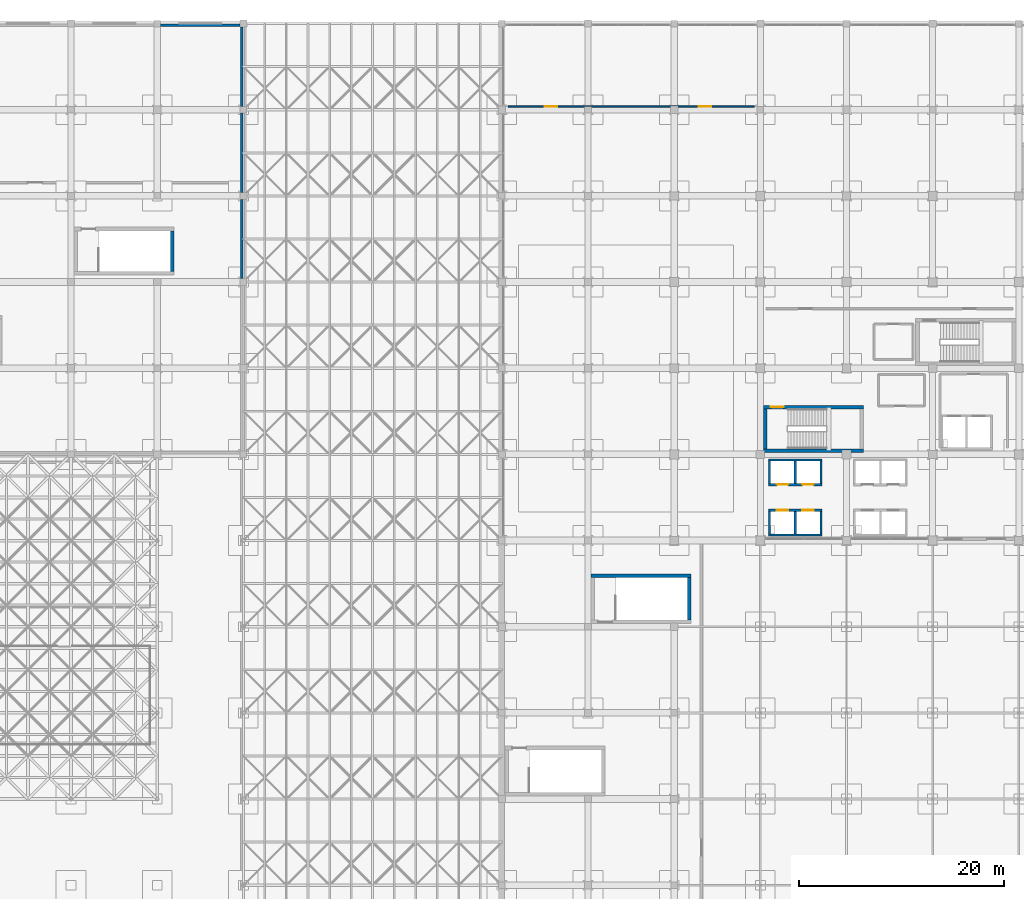
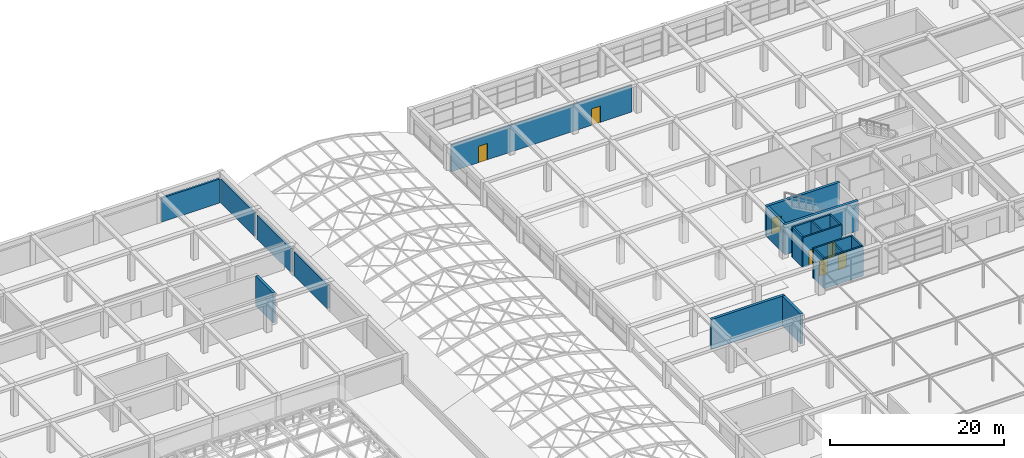
# One storey, part 77 of 85: 21 walls, 7 doors, 7 openings.
"""IFC4 building model written with IfcOpenShell, lengths in metres."""

import ifcopenshell
import ifcopenshell.guid

model = None  # the IFC model being written
_history = None  # IfcOwnerHistory: only IFC2X3 demands one
_inside = {}  # id of a spatial element -> (the spatial element, [elements in it])
_under = {}  # id of a project, library or spatial element -> (it, [spatial elements below it])
_declared = {}  # id of a project -> (the project, [libraries it declares])
_typed = {}  # id of a type object -> (the type object, [elements of that type])
_made_of = {}  # id of a material, layer set ... -> (it, [elements and type objects made of it])


def new_model(schema):
    """Start an empty IFC model of exactly this schema.

    Asked for "IFC4X3", IfcOpenShell would pick the latest addendum, in which some entities
    have other attributes; the version numbers below select the first issue.
    IFC2X3 requires an IfcOwnerHistory on every rooted entity: one is made here for all.
    """
    global model, _history
    if schema == "IFC4X3":
        model = ifcopenshell.file(schema_version=(4, 3, 0, 0))
    else:
        model = ifcopenshell.file(schema=schema)
    _inside.clear()
    _under.clear()
    _declared.clear()
    _typed.clear()
    _made_of.clear()
    _history = None
    if model.schema == "IFC2X3":
        org = make("IfcOrganization", Name="unknown")
        user = make(
            "IfcPersonAndOrganization",
            ThePerson=make("IfcPerson", FamilyName="unknown"),
            TheOrganization=org,
        )
        app = make(
            "IfcApplication",
            ApplicationDeveloper=org,
            Version="unknown",
            ApplicationFullName="unknown",
            ApplicationIdentifier="unknown",
        )
        _history = make(
            "IfcOwnerHistory",
            OwningUser=user,
            OwningApplication=app,
            ChangeAction="ADDED",
            CreationDate=0,
        )
    return model


def make(cls, **values):
    """One entity of the class cls with the attributes given. An attribute that is None is left unset."""
    return model.create_entity(
        cls, **{name: value for name, value in values.items() if value is not None}
    )


def rooted(cls, **values):
    """An entity with a GlobalId (a new one), such as an element, a storey or a relation."""
    return make(cls, GlobalId=ifcopenshell.guid.new(), OwnerHistory=_history, **values)


def si_unit(unit_type, name, prefix=None):
    """IfcSIUnit, for example si_unit("LENGTHUNIT", "METRE", prefix="MILLI")."""
    return make("IfcSIUnit", UnitType=unit_type, Prefix=prefix, Name=name)


def assignment(units):
    """IfcUnitAssignment: the units of a project."""
    return None if units is None else make("IfcUnitAssignment", Units=units)


def point(xyz):
    """IfcCartesianPoint."""
    return None if xyz is None else make("IfcCartesianPoint", Coordinates=xyz)


def direction(xyz):
    """IfcDirection."""
    return None if xyz is None else make("IfcDirection", DirectionRatios=xyz)


def frame(location, z_axis=None, x_axis=None):
    """IfcAxis2Placement3D, a coordinate frame: its origin and axes. An axis left out is left unset."""
    return make(
        "IfcAxis2Placement3D",
        Location=point(location),
        Axis=direction(z_axis),
        RefDirection=direction(x_axis),
    )


def frame_2d(location, x_axis=None):
    """IfcAxis2Placement2D, a coordinate frame in the plane: its origin and x axis."""
    return make(
        "IfcAxis2Placement2D", Location=point(location), RefDirection=direction(x_axis)
    )


def origin():
    """The frame at (0, 0, 0) with its axes left unset."""
    return frame((0.0, 0.0, 0.0))


def place(relative_to, where):
    """IfcLocalPlacement: puts the frame where relative to a parent placement (None: the world)."""
    return make(
        "IfcLocalPlacement", PlacementRelTo=relative_to, RelativePlacement=where
    )


def context(
    kind, dimensions, precision=None, world=None, true_north=None, identifier=None
):
    """IfcGeometricRepresentationContext, for example the 3D "Model" context."""
    return make(
        "IfcGeometricRepresentationContext",
        ContextIdentifier=identifier,
        ContextType=kind,
        CoordinateSpaceDimension=dimensions,
        Precision=precision,
        WorldCoordinateSystem=world,
        TrueNorth=true_north,
    )


def subcontext(parent, identifier, kind, view, scale=None):
    """IfcGeometricRepresentationSubContext, for example "Body" below "Model"."""
    return make(
        "IfcGeometricRepresentationSubContext",
        ContextIdentifier=identifier,
        ContextType=kind,
        ParentContext=parent,
        TargetScale=scale,
        TargetView=view,
    )


def project(units=None, contexts=None):
    """IfcProject with its units and contexts."""
    return rooted(
        "IfcProject",
        Name="project",
        RepresentationContexts=contexts,
        UnitsInContext=assignment(units),
    )


def spatial(cls, under=None, at=None, **own):
    """A site, building, storey or space (cls), placed at a placement, below another one or the project."""
    s = rooted(cls, ObjectPlacement=at, **own)
    if under is not None:
        _under.setdefault(under.id(), (under, []))[1].append(s)
    return s


def profile(cls, at=None, kind="AREA", **sizes):
    """A parametric profile (cls). Its sizes go by their IFC names, for example OverallWidth=200.0."""
    return make(cls, ProfileType=kind, Position=at, **sizes)


def rectangle(**sizes):
    """IfcRectangleProfileDef."""
    return profile("IfcRectangleProfileDef", **sizes)


def extrude(swept, where, along, depth):
    """IfcExtrudedAreaSolid: the profile swept, set in the frame where, extruded along a direction by depth."""
    return make(
        "IfcExtrudedAreaSolid",
        SweptArea=swept,
        Position=where,
        ExtrudedDirection=direction(along),
        Depth=depth,
    )


def shape(context_of_items, identifier, shape_type, items):
    """IfcShapeRepresentation: the items that make up one representation, for example the "Body"."""
    return make(
        "IfcShapeRepresentation",
        ContextOfItems=context_of_items,
        RepresentationIdentifier=identifier,
        RepresentationType=shape_type,
        Items=items,
    )


def material(Name=None, Category=None):
    """IfcMaterial."""
    return make("IfcMaterial", Name=Name, Category=Category)


def layer(
    of_material, thickness, ventilated=None, Name=None, Category=None, Priority=None
):
    """IfcMaterialLayer: one layer of a wall or slab, of a material (None: an air gap)."""
    return make(
        "IfcMaterialLayer",
        Material=of_material,
        LayerThickness=thickness,
        IsVentilated=ventilated,
        Name=Name,
        Category=Category,
        Priority=Priority,
    )


def layer_set(layers, Name=None):
    """IfcMaterialLayerSet."""
    return make("IfcMaterialLayerSet", MaterialLayers=layers, LayerSetName=Name)


def made_of(thing, what):
    """Note that an element or type object is made of a material, layer set ...; save() writes the relation."""
    if what is not None:
        _made_of.setdefault(what.id(), (what, []))[1].append(thing)
    return thing


def type_object(cls, material=None, **own):
    """A type object (cls), such as IfcWallType, which elements share."""
    return made_of(rooted(cls, **own), material)


def element(
    cls,
    number,
    at=None,
    inside=None,
    cuts=None,
    type_object=None,
    material=None,
    context=None,
    identifier="Body",
    shape_type=None,
    held_by="IfcProductDefinitionShape",
    body=None,
    shapes=None,
    **own,
):
    """One element of the class cls, such as IfcWall. Its Tag is "e" and its number.

    at: its placement. inside: the storey or other place that contains it. cuts: it is an
    opening in that element (IfcRelVoidsElement). A single representation is given by context,
    identifier, shape_type and body (its items); several are given by shapes. held_by: the class
    of the entity that holds the representations. save() writes the other relations.
    """
    e = rooted(cls, Tag="e%d" % number, ObjectPlacement=at, **own)
    if body is not None:
        shapes = [shape(context, identifier, shape_type, body)]
    if shapes is not None:
        e.Representation = make(held_by, Representations=shapes)
    if inside is not None:
        _inside.setdefault(inside.id(), (inside, []))[1].append(e)
    if cuts is not None:
        rooted(
            "IfcRelVoidsElement", RelatingBuildingElement=cuts, RelatedOpeningElement=e
        )
    if type_object is not None:
        _typed.setdefault(type_object.id(), (type_object, []))[1].append(e)
    return made_of(e, material)


def fill(opening, filler):
    """IfcRelFillsElement: the door or window that sits in an opening."""
    return rooted(
        "IfcRelFillsElement",
        RelatingOpeningElement=opening,
        RelatedBuildingElement=filler,
    )


def aggregate(whole, parts):
    """IfcRelAggregates: a whole, such as a stair, and the parts it consists of."""
    return rooted("IfcRelAggregates", RelatingObject=whole, RelatedObjects=parts)


def save(model, path):
    """Write the relations noted so far, then the file.

    IfcRelAggregates (storeys below a building ...), IfcRelContainedInSpatialStructure (elements
    in a storey), IfcRelDefinesByType, IfcRelAssociatesMaterial and IfcRelDeclares: one each for
    every whole, place, type object, material and project.
    """
    for whole, parts in _under.values():
        aggregate(whole, parts)
    for where, things in _inside.values():
        rooted(
            "IfcRelContainedInSpatialStructure",
            RelatedElements=things,
            RelatingStructure=where,
        )
    for kind, things in _typed.values():
        rooted("IfcRelDefinesByType", RelatedObjects=things, RelatingType=kind)
    for what, things in _made_of.values():
        rooted("IfcRelAssociatesMaterial", RelatedObjects=things, RelatingMaterial=what)
    for by, libraries in _declared.values():
        rooted("IfcRelDeclares", RelatingContext=by, RelatedDefinitions=libraries)
    model.write(path)


model = new_model("IFC4")

# Units and contexts
model_context = context("Model", 3, precision=1e-05, world=origin(), true_north=direction((0.0, 1.0)))
body_context = subcontext(model_context, "Body", "Model", "MODEL_VIEW")
ifc_project = project(units=[si_unit("LENGTHUNIT", "METRE"), si_unit("AREAUNIT", "SQUARE_METRE"), si_unit("VOLUMEUNIT", "CUBIC_METRE"), si_unit("PLANEANGLEUNIT", "RADIAN"), si_unit("MASSUNIT", "GRAM", prefix="KILO")], contexts=[model_context])

# Site, building, storey
site_placement = place(None, origin())
site = spatial("IfcSite", under=ifc_project, at=site_placement, CompositionType="ELEMENT")
building_placement = place(site_placement, origin())
building = spatial("IfcBuilding", under=site, at=building_placement, Name="Almacenes y Pasaje Nevantli", CompositionType="ELEMENT")
storey_placement = place(building_placement, frame((0.0, 0.0, 22.199951171875)))
storey = spatial("IfcBuildingStorey", under=building, at=storey_placement, Name="L05", CompositionType="ELEMENT", Elevation=22.199951171875)

# Wall
ifc_material_1 = material(Name="Concrete C45/55", Category="concrete")
ifc_layer_1 = layer(ifc_material_1, 0.35009765625)
ifc_layer_set_1 = layer_set([ifc_layer_1], Name="Concrete C45/55")
wall_type_1 = type_object("IfcWallType", Name="WL-CORE-350", PredefinedType="SHEAR", material=ifc_layer_set_1)
wall_1_placement = place(storey_placement, frame((117.89990234375, 75.97509765625, 0.0), z_axis=(0.0, 0.0, 1.0), x_axis=(1.0, 0.0, 0.0)))
element("IfcWall", 1, at=wall_1_placement, inside=storey, type_object=wall_type_1, Name="L05 Exit Stair ST-01 South Core Shear Wall", PredefinedType="SHEAR", context=body_context, shape_type="SweptSolid", body=[
    extrude(rectangle(XDim=9.75, YDim=0.35009765625, at=frame_2d((4.875, 0.0))), origin(), (0.0, 0.0, 1.0), 4.219970703125),
])

# Wall, opening, door
wall_2_placement = place(storey_placement, frame((117.89990234375, 80.215087890625, 0.0), z_axis=(0.0, 0.0, 1.0), x_axis=(1.0, 0.0, 0.0)))
wall_2 = element("IfcWall", 2, at=wall_2_placement, inside=storey, type_object=wall_type_1, Name="L05 Exit Stair ST-01 North Core Shear Wall", PredefinedType="SHEAR", context=body_context, shape_type="SweptSolid", body=[
    extrude(rectangle(XDim=9.75, YDim=0.35009765625, at=frame_2d((4.875, 0.0))), origin(), (0.0, 0.0, 1.0), 4.219970703125),
])
opening_1_placement = place(wall_2_placement, frame((0.719970703125, 0.0, 0.0)))
opening_1 = element("IfcOpeningElement", 3, at=opening_1_placement, cuts=wall_2, Name="Opening SD-01-L05", PredefinedType="OPENING", context=body_context, shape_type="SweptSolid", body=[
    extrude(rectangle(XDim=1.25, YDim=2.199951171875, at=frame_2d((0.625, 1.10009765625))), frame((0.0, 0.18505859375, 0.0), z_axis=(0.0, -1.0, 0.0), x_axis=(1.0, 0.0, 0.0)), (0.0, 0.0, 1.0), 0.3701171875),
])
ifc_material_2 = material(Name="Galvanized Fire-Rated Steel", Category="steel")
door_type_1 = type_object("IfcDoorType", Name="DR-STAIR-1250", OperationType="SINGLE_SWING_LEFT", PredefinedType="DOOR", material=ifc_material_2)
door_1_placement = place(opening_1_placement, origin())
door_1 = element("IfcDoor", 4, at=door_1_placement, inside=storey, type_object=door_type_1, Name="L05 Smokeproof Exit Stair ST-01 Fire Door", OperationType="SINGLE_SWING_LEFT", OverallHeight=2.199951171875, OverallWidth=1.25, PredefinedType="DOOR", context=body_context, shape_type="SweptSolid", body=[
    extrude(rectangle(XDim=1.25, YDim=2.199951171875, at=frame_2d((0.625, 1.10009765625))), frame((0.0, 0.02490234375, 0.0), z_axis=(0.0, -1.0, 0.0), x_axis=(1.0, 0.0, 0.0)), (0.0, 0.0, 1.0), 0.050048828125),
])
fill(opening_1, door_1)

# Walls
wall_3_placement = place(storey_placement, frame((118.074951171875, 76.14990234375, 0.0), z_axis=(0.0, 0.0, 1.0), x_axis=(0.0, 1.0, 0.0)))
element("IfcWall", 5, at=wall_3_placement, inside=storey, type_object=wall_type_1, Name="L05 Exit Stair ST-01 West Core Shear Wall", PredefinedType="SHEAR", context=body_context, shape_type="SweptSolid", body=[
    extrude(rectangle(XDim=3.89013671875, YDim=0.35009765625, at=frame_2d((1.945068359375, 0.0))), origin(), (0.0, 0.0, 1.0), 4.219970703125),
])
wall_4_placement = place(storey_placement, frame((60.27490234375, 93.449951171875, 0.0), z_axis=(0.0, 0.0, 1.0), x_axis=(0.0, 1.0, 0.0)))
element("IfcWall", 6, at=wall_4_placement, inside=storey, type_object=wall_type_1, Name="L05 Exit Stair ST-05 East Core Shear Wall", PredefinedType="SHEAR", context=body_context, shape_type="SweptSolid", body=[
    extrude(rectangle(XDim=3.949951171875, YDim=0.35009765625, at=frame_2d((1.97509765625, 0.0))), origin(), (0.0, 0.0, 1.0), 4.219970703125),
])
wall_5_placement = place(storey_placement, frame((101.10009765625, 63.77490234375, 0.0), z_axis=(0.0, 0.0, 1.0), x_axis=(1.0, 0.0, 0.0)))
element("IfcWall", 7, at=wall_5_placement, inside=storey, type_object=wall_type_1, Name="L05 Exit Stair ST-13 North Core Shear Wall", PredefinedType="SHEAR", context=body_context, shape_type="SweptSolid", body=[
    extrude(rectangle(XDim=9.75, YDim=0.35009765625, at=frame_2d((4.875, 0.0))), origin(), (0.0, 0.0, 1.0), 4.219970703125),
])
wall_6_placement = place(storey_placement, frame((110.675048828125, 59.449951171875, 0.0), z_axis=(0.0, 0.0, 1.0), x_axis=(0.0, 1.0, 0.0)))
element("IfcWall", 8, at=wall_6_placement, inside=storey, type_object=wall_type_1, Name="L05 Exit Stair ST-13 East Core Shear Wall", PredefinedType="SHEAR", context=body_context, shape_type="SweptSolid", body=[
    extrude(rectangle(XDim=4.150146484375, YDim=0.35009765625, at=frame_2d((2.0751953125, 0.0))), origin(), (0.0, 0.0, 1.0), 4.219970703125),
])
ifc_material_3 = material(Name="Cream Architectural Precast Concrete C35/45 Wall", Category="concrete")
ifc_layer_2 = layer(ifc_material_3, 0.260009765625)
ifc_layer_set_2 = layer_set([ifc_layer_2], Name="Cream Architectural Precast Concrete C35/45 Wall")
wall_type_2 = type_object("IfcWallType", Name="WL-EXT-PRECAST-260", PredefinedType="SOLIDWALL", material=ifc_layer_set_2)
for number, where, z_axis, x_axis, name in (
    (9, (59.1279296875, 117.449951171875, 0.0), (0.0, 0.0, 1.0), (1.0, 0.0, 0.0), "L05 NW Plant North Enclosure Wall Bay 8"),
    (10, (67.050048828125, 92.72802734375, 0.0), (0.0, 0.0, 1.0), (0.0, 1.0, 0.0), "L05 NW Plant East Wall Bay 12"),
    (11, (67.050048828125, 101.152099609375, 0.0), (0.0, 0.0, 1.0), (0.0, 1.0, 0.0), "L05 NW Plant East Wall Bay 13"),
):
    element("IfcWall", number, at=place(storey_placement, frame(where, z_axis=z_axis, x_axis=x_axis)), inside=storey, type_object=wall_type_2, Name=name, PredefinedType="SOLIDWALL", context=body_context, shape_type="SweptSolid", body=[
        extrude(rectangle(XDim=7.719970703125, YDim=0.260009765625, at=frame_2d((3.85986328125, 0.0))), origin(), (0.0, 0.0, 1.0), 3.3701171875),
    ])
wall_7_placement = place(storey_placement, frame((67.050048828125, 109.528076171875, 0.0), z_axis=(0.0, 0.0, 1.0), x_axis=(0.0, 1.0, 0.0)))
element("IfcWall", 12, at=wall_7_placement, inside=storey, type_object=wall_type_2, Name="L05 NW Plant East Wall Bay 14", PredefinedType="SOLIDWALL", context=body_context, shape_type="SweptSolid", body=[
    extrude(rectangle(XDim=7.718017578125, YDim=0.260009765625, at=frame_2d((3.85888671875, 0.0))), origin(), (0.0, 0.0, 1.0), 3.3701171875),
])

# Wall, openings, doors
ifc_material_4 = material(Name="Acoustic Steel-Stud Gypsum Partition", Category="steel")
ifc_layer_3 = layer(ifc_material_4, 0.14990234375)
ifc_layer_set_3 = layer_set([ifc_layer_3], Name="Acoustic Steel-Stud Gypsum Partition")
wall_type_3 = type_object("IfcWallType", Name="WL-PART-150", PredefinedType="PARTITIONING", material=ifc_layer_set_3)
wall_8_placement = place(storey_placement, frame((93.0, 109.5, 0.0), z_axis=(0.0, 0.0, 1.0), x_axis=(1.0, 0.0, 0.0)))
wall_8 = element("IfcWall", 13, at=wall_8_placement, inside=storey, type_object=wall_type_3, Name="L05 Interior Partition Wall IW-150 #109", PredefinedType="PARTITIONING", context=body_context, shape_type="SweptSolid", body=[
    extrude(rectangle(XDim=24.0, YDim=0.14990234375, at=frame_2d((12.0, 0.0))), origin(), (0.0, 0.0, 1.0), 3.840087890625),
])
opening_2_placement = place(wall_8_placement, frame((3.60009765625, 0.0, 0.0)))
opening_2 = element("IfcOpeningElement", 14, at=opening_2_placement, cuts=wall_8, Name="Opening ID-L05-055", PredefinedType="OPENING", context=body_context, shape_type="SweptSolid", body=[
    extrude(rectangle(XDim=1.199951171875, YDim=2.300048828125, at=frame_2d((0.60009765625, 1.14990234375))), frame((0.0, 0.0849609375, 0.0), z_axis=(0.0, -1.0, 0.0), x_axis=(1.0, 0.0, 0.0)), (0.0, 0.0, 1.0), 0.169921875),
])
opening_3_placement = place(wall_8_placement, frame((18.60009765625, 0.0, 0.0)))
opening_3 = element("IfcOpeningElement", 15, at=opening_3_placement, cuts=wall_8, Name="Opening ID-L05-056", PredefinedType="OPENING", context=body_context, shape_type="SweptSolid", body=[
    extrude(rectangle(XDim=1.199951171875, YDim=2.300048828125, at=frame_2d((0.60009765625, 1.14990234375))), frame((0.0, 0.0849609375, 0.0), z_axis=(0.0, -1.0, 0.0), x_axis=(1.0, 0.0, 0.0)), (0.0, 0.0, 1.0), 0.169921875),
])
ifc_material_5 = material(Name="Anodized Aluminium and Tempered Acoustic Glass", Category="aluminium")
door_type_2 = type_object("IfcDoorType", Name="DR-ACU-1200", OperationType="SINGLE_SWING_LEFT", PredefinedType="DOOR", material=ifc_material_5)
door_2_placement = place(opening_2_placement, origin())
door_2 = element("IfcDoor", 16, at=door_2_placement, inside=storey, type_object=door_type_2, Name="L05 Conference Tlacopan Door", OperationType="SINGLE_SWING_LEFT", OverallHeight=2.300048828125, OverallWidth=1.199951171875, PredefinedType="DOOR", context=body_context, shape_type="SweptSolid", body=[
    extrude(rectangle(XDim=1.199951171875, YDim=2.300048828125, at=frame_2d((0.60009765625, 1.14990234375))), frame((0.0, 0.02490234375, 0.0), z_axis=(0.0, -1.0, 0.0), x_axis=(1.0, 0.0, 0.0)), (0.0, 0.0, 1.0), 0.050048828125),
])
fill(opening_2, door_2)
ifc_material_6 = material(Name="Anodized Aluminium and Tempered Acoustic Glass", Category="aluminium")
door_type_3 = type_object("IfcDoorType", Name="DR-ACU-1200R", OperationType="SINGLE_SWING_RIGHT", PredefinedType="DOOR", material=ifc_material_6)
door_3_placement = place(opening_3_placement, origin())
door_3 = element("IfcDoor", 17, at=door_3_placement, inside=storey, type_object=door_type_3, Name="L05 Conference Tlacopan East Door", OperationType="SINGLE_SWING_RIGHT", OverallHeight=2.300048828125, OverallWidth=1.199951171875, PredefinedType="DOOR", context=body_context, shape_type="SweptSolid", body=[
    extrude(rectangle(XDim=1.199951171875, YDim=2.300048828125, at=frame_2d((0.60009765625, 1.14990234375))), frame((0.0, 0.02490234375, 0.0), z_axis=(0.0, -1.0, 0.0), x_axis=(1.0, 0.0, 0.0)), (0.0, 0.0, 1.0), 0.050048828125),
])
fill(opening_3, door_3)

# Wall
ifc_material_7 = material(Name="Concrete C45/55", Category="concrete")
ifc_layer_4 = layer(ifc_material_7, 0.2099609375)
ifc_layer_set_4 = layer_set([ifc_layer_4], Name="Concrete C45/55")
wall_type_4 = type_object("IfcWallType", Name="WL-SHAFT-210", PredefinedType="SHEAR", material=ifc_layer_set_4)
wall_9_placement = place(storey_placement, frame((118.389892578125, 67.7451171875, 0.0), z_axis=(0.0, 0.0, 1.0), x_axis=(1.0, 0.0, 0.0)))
element("IfcWall", 18, at=wall_9_placement, inside=storey, type_object=wall_type_4, Name="L05 Lift Hoistway ELV-P05-ELV-P06 South Wall", PredefinedType="SHEAR", context=body_context, shape_type="SweptSolid", body=[
    extrude(rectangle(XDim=5.22021484375, YDim=0.2099609375, at=frame_2d((2.610107421875, 0.0))), origin(), (0.0, 0.0, 1.0), 4.219970703125),
])

# Wall, openings, doors
wall_10_placement = place(storey_placement, frame((118.389892578125, 70.155029296875, 0.0), z_axis=(0.0, 0.0, 1.0), x_axis=(1.0, 0.0, 0.0)))
wall_10 = element("IfcWall", 19, at=wall_10_placement, inside=storey, type_object=wall_type_4, Name="L05 Lift Hoistway ELV-P05-ELV-P06 North Wall", PredefinedType="SHEAR", context=body_context, shape_type="SweptSolid", body=[
    extrude(rectangle(XDim=5.22021484375, YDim=0.2099609375, at=frame_2d((2.610107421875, 0.0))), origin(), (0.0, 0.0, 1.0), 4.219970703125),
])
opening_4_placement = place(wall_10_placement, frame((0.81005859375, 0.0, 0.0)))
opening_4 = element("IfcOpeningElement", 20, at=opening_4_placement, cuts=wall_10, Name="Opening LD-P05-L05", PredefinedType="OPENING", context=body_context, shape_type="SweptSolid", body=[
    extrude(rectangle(XDim=1.10009765625, YDim=2.14990234375, at=frame_2d((0.550048828125, 1.074951171875))), frame((0.0, 0.114990234375, 0.0), z_axis=(0.0, -1.0, 0.0), x_axis=(1.0, 0.0, 0.0)), (0.0, 0.0, 1.0), 0.22998046875),
])
opening_5_placement = place(wall_10_placement, frame((3.31005859375, 0.0, 0.0)))
opening_5 = element("IfcOpeningElement", 21, at=opening_5_placement, cuts=wall_10, Name="Opening LD-P06-L05", PredefinedType="OPENING", context=body_context, shape_type="SweptSolid", body=[
    extrude(rectangle(XDim=1.10009765625, YDim=2.14990234375, at=frame_2d((0.550048828125, 1.074951171875))), frame((0.0, 0.114990234375, 0.0), z_axis=(0.0, -1.0, 0.0), x_axis=(1.0, 0.0, 0.0)), (0.0, 0.0, 1.0), 0.22998046875),
])
ifc_material_8 = material(Name="Brushed Stainless Steel", Category="steel")
door_type_4 = type_object("IfcDoorType", Name="DR-LD-PASS-1100", OperationType="DOUBLE_DOOR_SLIDING", PredefinedType="DOOR", material=ifc_material_8)
door_4_placement = place(opening_4_placement, origin())
door_4 = element("IfcDoor", 22, at=door_4_placement, inside=storey, type_object=door_type_4, Name="Lift Landing Door ELV-P05 L05", OperationType="DOUBLE_DOOR_SLIDING", OverallHeight=2.14990234375, OverallWidth=1.10009765625, PredefinedType="DOOR", context=body_context, shape_type="SweptSolid", body=[
    extrude(rectangle(XDim=1.10009765625, YDim=2.14990234375, at=frame_2d((0.550048828125, 1.074951171875))), frame((0.0, 0.02490234375, 0.0), z_axis=(0.0, -1.0, 0.0), x_axis=(1.0, 0.0, 0.0)), (0.0, 0.0, 1.0), 0.050048828125),
])
fill(opening_4, door_4)
door_5_placement = place(opening_5_placement, origin())
door_5 = element("IfcDoor", 23, at=door_5_placement, inside=storey, type_object=door_type_4, Name="Lift Landing Door ELV-P06 L05", OperationType="DOUBLE_DOOR_SLIDING", OverallHeight=2.14990234375, OverallWidth=1.10009765625, PredefinedType="DOOR", context=body_context, shape_type="SweptSolid", body=[
    extrude(rectangle(XDim=1.10009765625, YDim=2.14990234375, at=frame_2d((0.550048828125, 1.074951171875))), frame((0.0, 0.02490234375, 0.0), z_axis=(0.0, -1.0, 0.0), x_axis=(1.0, 0.0, 0.0)), (0.0, 0.0, 1.0), 0.050048828125),
])
fill(opening_5, door_5)

# Walls
for number, where, z_axis, x_axis, name in (
    (24, (118.4951171875, 67.85009765625, 0.0), (0.0, 0.0, 1.0), (0.0, 1.0, 0.0), "L05 Lift Hoistway ELV-P05 West Wall"),
    (25, (123.5048828125, 67.85009765625, 0.0), (0.0, 0.0, 1.0), (0.0, 1.0, 0.0), "L05 Lift Hoistway ELV-P06 East Wall"),
    (26, (121.0, 67.85009765625, 0.0), (0.0, 0.0, 1.0), (0.0, 1.0, 0.0), "L05 Lift Hoistway Divider Wall ELV-P05/ELV-P06"),
):
    element("IfcWall", number, at=place(storey_placement, frame(where, z_axis=z_axis, x_axis=x_axis)), inside=storey, type_object=wall_type_4, Name=name, PredefinedType="SHEAR", context=body_context, shape_type="SweptSolid", body=[
        extrude(rectangle(XDim=2.199951171875, YDim=0.2099609375, at=frame_2d((1.10009765625, 0.0))), origin(), (0.0, 0.0, 1.0), 4.219970703125),
    ])

# Wall, openings, doors
wall_11_placement = place(storey_placement, frame((118.389892578125, 72.64501953125, 0.0), z_axis=(0.0, 0.0, 1.0), x_axis=(1.0, 0.0, 0.0)))
wall_11 = element("IfcWall", 27, at=wall_11_placement, inside=storey, type_object=wall_type_4, Name="L05 Lift Hoistway ELV-P07-ELV-P08 South Wall", PredefinedType="SHEAR", context=body_context, shape_type="SweptSolid", body=[
    extrude(rectangle(XDim=5.22021484375, YDim=0.2099609375, at=frame_2d((2.610107421875, 0.0))), origin(), (0.0, 0.0, 1.0), 4.219970703125),
])
opening_6_placement = place(wall_11_placement, frame((0.81005859375, 0.0, 0.0)))
opening_6 = element("IfcOpeningElement", 28, at=opening_6_placement, cuts=wall_11, Name="Opening LD-P07-L05", PredefinedType="OPENING", context=body_context, shape_type="SweptSolid", body=[
    extrude(rectangle(XDim=1.10009765625, YDim=2.14990234375, at=frame_2d((0.550048828125, 1.074951171875))), frame((0.0, 0.114990234375, 0.0), z_axis=(0.0, -1.0, 0.0), x_axis=(1.0, 0.0, 0.0)), (0.0, 0.0, 1.0), 0.22998046875),
])
opening_7_placement = place(wall_11_placement, frame((3.31005859375, 0.0, 0.0)))
opening_7 = element("IfcOpeningElement", 29, at=opening_7_placement, cuts=wall_11, Name="Opening LD-P08-L05", PredefinedType="OPENING", context=body_context, shape_type="SweptSolid", body=[
    extrude(rectangle(XDim=1.10009765625, YDim=2.14990234375, at=frame_2d((0.550048828125, 1.074951171875))), frame((0.0, 0.114990234375, 0.0), z_axis=(0.0, -1.0, 0.0), x_axis=(1.0, 0.0, 0.0)), (0.0, 0.0, 1.0), 0.22998046875),
])
door_6_placement = place(opening_6_placement, origin())
door_6 = element("IfcDoor", 30, at=door_6_placement, inside=storey, type_object=door_type_4, Name="Lift Landing Door ELV-P07 L05", OperationType="DOUBLE_DOOR_SLIDING", OverallHeight=2.14990234375, OverallWidth=1.10009765625, PredefinedType="DOOR", context=body_context, shape_type="SweptSolid", body=[
    extrude(rectangle(XDim=1.10009765625, YDim=2.14990234375, at=frame_2d((0.550048828125, 1.074951171875))), frame((0.0, 0.02490234375, 0.0), z_axis=(0.0, -1.0, 0.0), x_axis=(1.0, 0.0, 0.0)), (0.0, 0.0, 1.0), 0.050048828125),
])
fill(opening_6, door_6)
door_7_placement = place(opening_7_placement, origin())
door_7 = element("IfcDoor", 31, at=door_7_placement, inside=storey, type_object=door_type_4, Name="Lift Landing Door ELV-P08 L05", OperationType="DOUBLE_DOOR_SLIDING", OverallHeight=2.14990234375, OverallWidth=1.10009765625, PredefinedType="DOOR", context=body_context, shape_type="SweptSolid", body=[
    extrude(rectangle(XDim=1.10009765625, YDim=2.14990234375, at=frame_2d((0.550048828125, 1.074951171875))), frame((0.0, 0.02490234375, 0.0), z_axis=(0.0, -1.0, 0.0), x_axis=(1.0, 0.0, 0.0)), (0.0, 0.0, 1.0), 0.050048828125),
])
fill(opening_7, door_7)

# Walls
wall_12_placement = place(storey_placement, frame((118.389892578125, 75.054931640625, 0.0), z_axis=(0.0, 0.0, 1.0), x_axis=(1.0, 0.0, 0.0)))
element("IfcWall", 32, at=wall_12_placement, inside=storey, type_object=wall_type_4, Name="L05 Lift Hoistway ELV-P07-ELV-P08 North Wall", PredefinedType="SHEAR", context=body_context, shape_type="SweptSolid", body=[
    extrude(rectangle(XDim=5.22021484375, YDim=0.2099609375, at=frame_2d((2.610107421875, 0.0))), origin(), (0.0, 0.0, 1.0), 4.219970703125),
])
for number, where, z_axis, x_axis, name in (
    (33, (118.4951171875, 72.75, 0.0), (0.0, 0.0, 1.0), (0.0, 1.0, 0.0), "L05 Lift Hoistway ELV-P07 West Wall"),
    (34, (123.5048828125, 72.75, 0.0), (0.0, 0.0, 1.0), (0.0, 1.0, 0.0), "L05 Lift Hoistway ELV-P08 East Wall"),
    (35, (121.0, 72.75, 0.0), (0.0, 0.0, 1.0), (0.0, 1.0, 0.0), "L05 Lift Hoistway Divider Wall ELV-P07/ELV-P08"),
):
    element("IfcWall", number, at=place(storey_placement, frame(where, z_axis=z_axis, x_axis=x_axis)), inside=storey, type_object=wall_type_4, Name=name, PredefinedType="SHEAR", context=body_context, shape_type="SweptSolid", body=[
        extrude(rectangle(XDim=2.199951171875, YDim=0.2099609375, at=frame_2d((1.10009765625, 0.0))), origin(), (0.0, 0.0, 1.0), 4.219970703125),
    ])

save(model, "model.ifc")
